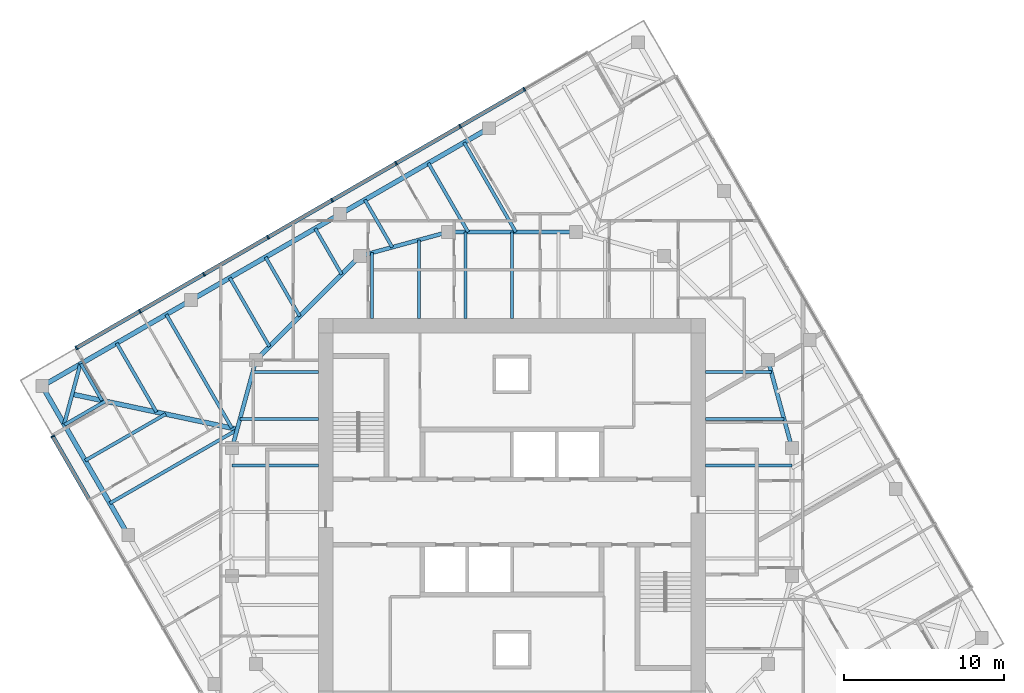
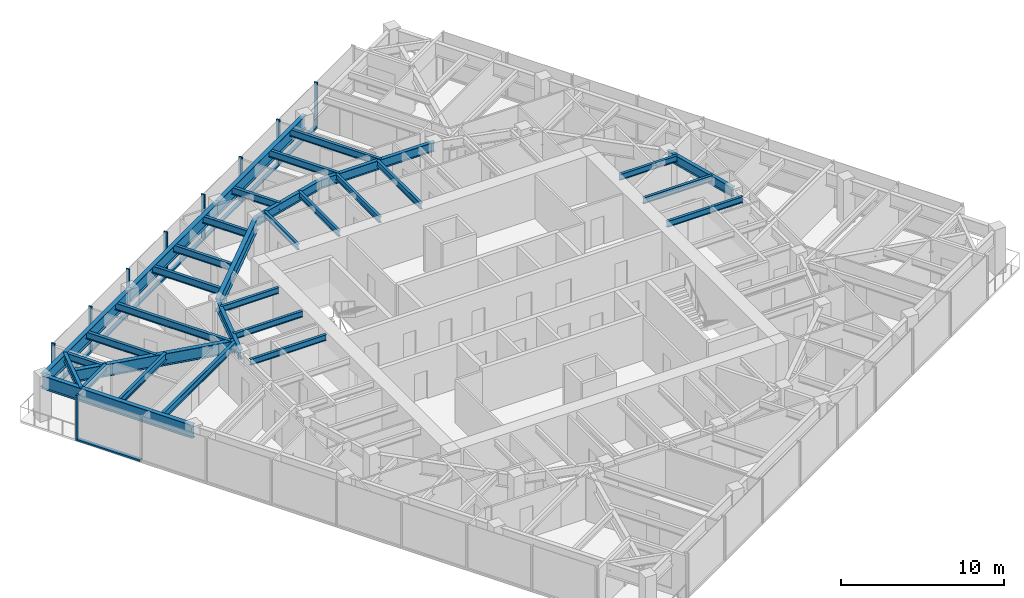
# One storey, part 4 of 13: 33 beams, 17 members, 2 elements without a shape of their own.
"""IFC4 building model written with IfcOpenShell, lengths in metres."""

from ifc_helpers import new_model, si_unit, direction, frame, origin, origin_2d, place, context, subcontext, project, spatial, rectangle, i_section, extrude, material, material_profile, profile_set, type_object, element, aggregate, save


model = new_model("IFC4")

# Units and contexts
model_context = context("Model", 3, precision=1e-05, world=origin(), true_north=direction((0.0, 1.0)))
body_context = subcontext(model_context, "Body", "Model", "MODEL_VIEW")
ifc_project = project(units=[si_unit("LENGTHUNIT", "METRE"), si_unit("AREAUNIT", "SQUARE_METRE"), si_unit("VOLUMEUNIT", "CUBIC_METRE"), si_unit("PLANEANGLEUNIT", "RADIAN"), si_unit("MASSUNIT", "GRAM", prefix="KILO")], contexts=[model_context])

# Site, building, storey
site_placement = place(None, origin())
site = spatial("IfcSite", under=ifc_project, at=site_placement, CompositionType="ELEMENT")
building_placement = place(site_placement, origin())
building = spatial("IfcBuilding", under=site, at=building_placement, Name="Torsade Residences", CompositionType="ELEMENT")
storey_placement = place(building_placement, frame((0.0, 0.0, 228.60009765625)))
storey = spatial("IfcBuildingStorey", under=building, at=storey_placement, Name="L63", CompositionType="ELEMENT", Elevation=228.60009765625)

# Beams
ifc_material_1 = material(Name="Steel grade 300", Category="steel")
ifc_material_profile_1 = material_profile(ifc_material_1, i_section(OverallWidth=0.300048828125, OverallDepth=0.89990234375, WebThickness=0.011962890625, FlangeThickness=0.02490234375, at=origin_2d()), Name="900WB175")
ifc_profile_set_1 = profile_set([ifc_material_profile_1], Name="Steel grade 300")
beam_type_1 = type_object("IfcBeamType", Name="CORNER GIRDER 900WB175", PredefinedType="BEAM", material=ifc_profile_set_1)
beam_1_placement = place(storey_placement, frame((12.5087890625, 37.3662109375, 2.7998046875), z_axis=(0.978115155685, -0.20806427425, 0.0), x_axis=(0.20806427425, 0.978115155685, 0.0)))
element("IfcBeam", 1, at=beam_1_placement, inside=storey, type_object=beam_type_1, Name="Corner girder 13 L64", PredefinedType="BEAM", context=body_context, shape_type="SweptSolid", body=[
    extrude(i_section(OverallWidth=0.300048828125, OverallDepth=0.89990234375, WebThickness=0.011962890625, FlangeThickness=0.02490234375, at=origin_2d()), origin(), (0.0, 0.0, 1.0), 10.541748046875),
])
ifc_material_2 = material(Name="Steel grade 300", Category="steel")
ifc_material_profile_2 = material_profile(ifc_material_2, i_section(OverallWidth=0.22802734375, OverallDepth=0.60205078125, WebThickness=0.010498046875, FlangeThickness=0.014892578125, FilletRadius=0.013916015625, at=origin_2d()), Name="610UB101")
ifc_profile_set_2 = profile_set([ifc_material_profile_2], Name="Steel grade 300")
beam_type_2 = type_object("IfcBeamType", Name="CORNER TRIMMER 610UB101", PredefinedType="BEAM", material=ifc_profile_set_2)
beam_2_placement = place(storey_placement, frame((12.00537109375, 35.488037109375, 2.948974609375), z_axis=(0.258822897619, 0.965924794002, 0.0), x_axis=(-0.965924794002, 0.258822897619, 0.0)))
element("IfcBeam", 2, at=beam_2_placement, inside=storey, type_object=beam_type_2, Name="Corner trimmer 13 L64", PredefinedType="BEAM", context=body_context, shape_type="SweptSolid", body=[
    extrude(i_section(OverallWidth=0.22802734375, OverallDepth=0.60205078125, WebThickness=0.010498046875, FlangeThickness=0.014892578125, FilletRadius=0.013916015625, at=origin_2d()), origin(), (0.0, 0.0, 1.0), 3.88916015625),
])
ifc_material_3 = material(Name="Steel grade 300", Category="steel")
ifc_material_profile_3 = material_profile(ifc_material_3, i_section(OverallWidth=0.300048828125, OverallDepth=1.0, WebThickness=0.01611328125, FlangeThickness=0.028076171875, at=origin_2d()), Name="1000WB215")
ifc_profile_set_3 = profile_set([ifc_material_profile_3], Name="Steel grade 300")
beam_type_3 = type_object("IfcBeamType", Name="EDGE BEAM 1000WB215", PredefinedType="SPANDREL", material=ifc_profile_set_3)
for number, where, z_axis, x_axis, name in (
    (3, (38.559814453125, 53.99462890625, 2.75), (-0.866026365697, -0.499998333915, 0.0), (0.499998333915, -0.866026365697, 0.0), "Edge beam 10 L64"),
    (4, (29.25, 48.61962890625, 2.75), (-0.866026365697, -0.499998333915, 0.0), (0.499998333915, -0.866026365697, 0.0), "Edge beam 11 L64"),
    (5, (19.940185546875, 43.24462890625, 2.75), (-0.866026365697, -0.499998333915, 0.0), (0.499998333915, -0.866026365697, 0.0), "Edge beam 12 L64"),
    (6, (10.63037109375, 37.86962890625, 2.75), (0.499998333915, -0.866026365697, 0.0), (0.866026365697, 0.499998333915, 0.0), "Edge beam 13 L64"),
):
    element("IfcBeam", number, at=place(storey_placement, frame(where, z_axis=z_axis, x_axis=x_axis)), inside=storey, type_object=beam_type_3, Name=name, PredefinedType="SPANDREL", context=body_context, shape_type="SweptSolid", body=[
        extrude(i_section(OverallWidth=0.300048828125, OverallDepth=1.0, WebThickness=0.01611328125, FlangeThickness=0.028076171875, at=origin_2d()), origin(), (0.0, 0.0, 1.0), 10.75),
    ])

# Curtain wall, members
ifc_material_4 = material(Name="Aluminium and glass", Category="aluminium")
curtain_wall_type = type_object("IfcCurtainWallType", Name="FRITTED GLASS CURTAIN WALL HIGH ZONE", PredefinedType="NOTDEFINED", material=ifc_material_4)
curtain_wall_1_placement = place(storey_placement, origin())
curtain_wall_1 = element("IfcCurtainWall", 7, at=curtain_wall_1_placement, inside=storey, type_object=curtain_wall_type, Name="Curtain wall L63 face 7", PredefinedType="NOTDEFINED")
ifc_material_5 = material(Name="Aluminium mullion", Category="aluminium")
ifc_material_profile_4 = material_profile(ifc_material_5, rectangle(XDim=0.25, YDim=0.10009765625, at=origin_2d()), Name="HIGH ZONE CURTAIN WALL MULLION 250x100")
ifc_profile_set_4 = profile_set([ifc_material_profile_4], Name="Aluminium mullion")
member_type_1 = type_object("IfcMemberType", Name="HIGH ZONE CURTAIN WALL MULLION 250x100", PredefinedType="MULLION", material=ifc_profile_set_4)
member_1_placement = place(storey_placement, frame((40.76611328125, 56.423095703125, 0.0), z_axis=(0.0, 0.0, 1.0), x_axis=(0.499999999305, -0.866025404186, 0.0)))
member_1 = element("IfcMember", 8, at=member_1_placement, type_object=member_type_1, Name="Mullion 2", PredefinedType="MULLION", context=body_context, shape_type="SweptSolid", body=[
    extrude(rectangle(XDim=0.25, YDim=0.10009765625, at=origin_2d()), origin(), (0.0, 0.0, 1.0), 3.39990234375),
])
member_2_placement = place(storey_placement, frame((36.7607421875, 54.110595703125, 0.0), z_axis=(0.0, 0.0, 1.0), x_axis=(0.499999999305, -0.866025404186, 0.0)))
member_2 = element("IfcMember", 9, at=member_2_placement, type_object=member_type_1, Name="Mullion 3", PredefinedType="MULLION", context=body_context, shape_type="SweptSolid", body=[
    extrude(rectangle(XDim=0.25, YDim=0.10009765625, at=origin_2d()), origin(), (0.0, 0.0, 1.0), 3.39990234375),
])
member_3_placement = place(storey_placement, frame((32.75537109375, 51.798095703125, 0.0), z_axis=(0.0, 0.0, 1.0), x_axis=(0.499999999305, -0.866025404186, 0.0)))
member_3 = element("IfcMember", 10, at=member_3_placement, type_object=member_type_1, Name="Mullion 4", PredefinedType="MULLION", context=body_context, shape_type="SweptSolid", body=[
    extrude(rectangle(XDim=0.25, YDim=0.10009765625, at=origin_2d()), origin(), (0.0, 0.0, 1.0), 3.39990234375),
])
member_4_placement = place(storey_placement, frame((28.75, 49.485595703125, 0.0), z_axis=(0.0, 0.0, 1.0), x_axis=(0.499999999305, -0.866025404186, 0.0)))
member_4 = element("IfcMember", 11, at=member_4_placement, type_object=member_type_1, Name="Mullion 5", PredefinedType="MULLION", context=body_context, shape_type="SweptSolid", body=[
    extrude(rectangle(XDim=0.25, YDim=0.10009765625, at=origin_2d()), origin(), (0.0, 0.0, 1.0), 3.39990234375),
])
member_5_placement = place(storey_placement, frame((24.74462890625, 47.173095703125, 0.0), z_axis=(0.0, 0.0, 1.0), x_axis=(0.499999999305, -0.866025404186, 0.0)))
member_5 = element("IfcMember", 12, at=member_5_placement, type_object=member_type_1, Name="Mullion 6", PredefinedType="MULLION", context=body_context, shape_type="SweptSolid", body=[
    extrude(rectangle(XDim=0.25, YDim=0.10009765625, at=origin_2d()), origin(), (0.0, 0.0, 1.0), 3.39990234375),
])
member_6_placement = place(storey_placement, frame((20.7392578125, 44.860595703125, 0.0), z_axis=(0.0, 0.0, 1.0), x_axis=(0.499999999305, -0.866025404186, 0.0)))
member_6 = element("IfcMember", 13, at=member_6_placement, type_object=member_type_1, Name="Mullion 7", PredefinedType="MULLION", context=body_context, shape_type="SweptSolid", body=[
    extrude(rectangle(XDim=0.25, YDim=0.10009765625, at=origin_2d()), origin(), (0.0, 0.0, 1.0), 3.39990234375),
])
member_7_placement = place(storey_placement, frame((16.73388671875, 42.548095703125, 0.0), z_axis=(0.0, 0.0, 1.0), x_axis=(0.499999999305, -0.866025404186, 0.0)))
member_7 = element("IfcMember", 14, at=member_7_placement, type_object=member_type_1, Name="Mullion 8", PredefinedType="MULLION", context=body_context, shape_type="SweptSolid", body=[
    extrude(rectangle(XDim=0.25, YDim=0.10009765625, at=origin_2d()), origin(), (0.0, 0.0, 1.0), 3.39990234375),
])
member_8_placement = place(storey_placement, frame((12.771728515625, 40.260498046875, 0.0), z_axis=(0.0, 0.0, 1.0), x_axis=(0.499999999305, -0.866025404186, 0.0)))
member_8 = element("IfcMember", 15, at=member_8_placement, type_object=member_type_1, Name="Mullion 9", PredefinedType="MULLION", context=body_context, shape_type="SweptSolid", body=[
    extrude(rectangle(XDim=0.25, YDim=0.10009765625, at=origin_2d()), origin(), (0.0, 0.0, 1.0), 3.39990234375),
])

# Curtain wall, member
curtain_wall_2_placement = place(storey_placement, origin())
curtain_wall_2 = element("IfcCurtainWall", 16, at=curtain_wall_2_placement, inside=storey, type_object=curtain_wall_type, Name="Curtain wall L63 face 10", PredefinedType="NOTDEFINED")
member_9_placement = place(storey_placement, frame((11.289306640625, 34.728271484375, 0.0), z_axis=(0.0, 0.0, 1.0), x_axis=(0.866025404186, 0.499999999305, 0.0)))
member_9 = element("IfcMember", 17, at=member_9_placement, type_object=member_type_1, Name="Mullion 1", PredefinedType="MULLION", context=body_context, shape_type="SweptSolid", body=[
    extrude(rectangle(XDim=0.25, YDim=0.10009765625, at=origin_2d()), origin(), (0.0, 0.0, 1.0), 3.39990234375),
])

# Member
ifc_material_6 = material(Name="Aluminium transom", Category="aluminium")
ifc_material_profile_5 = material_profile(ifc_material_6, rectangle(XDim=0.25, YDim=0.1201171875, at=origin_2d()), Name="HIGH ZONE CURTAIN WALL TRANSOM 250x120")
ifc_profile_set_5 = profile_set([ifc_material_profile_5], Name="Aluminium transom")
member_type_2 = type_object("IfcMemberType", Name="HIGH ZONE CURTAIN WALL TRANSOM 250x120", PredefinedType="USERDEFINED", material=ifc_profile_set_5)
member_10_placement = place(storey_placement, frame((40.722900390625, 56.398193359375, 0.059814453125), z_axis=(-0.866016678684, -0.500015112013, 0.0), x_axis=(0.500015112013, -0.866016678684, 0.0)))
member_10 = element("IfcMember", 18, at=member_10_placement, type_object=member_type_2, Name="Transom 2.1", ObjectType="TRANSOM", PredefinedType="USERDEFINED", context=body_context, shape_type="SweptSolid", body=[
    extrude(rectangle(XDim=0.25, YDim=0.1201171875, at=origin_2d()), origin(), (0.0, 0.0, 1.0), 4.525146484375),
])

member_11_placement = place(storey_placement, frame((36.717529296875, 54.085693359375, 0.059814453125), z_axis=(-0.866016678684, -0.500015112013, 0.0), x_axis=(0.500015112013, -0.866016678684, 0.0)))
member_11 = element("IfcMember", 19, at=member_11_placement, type_object=member_type_2, Name="Transom 3.1", ObjectType="TRANSOM", PredefinedType="USERDEFINED", context=body_context, shape_type="SweptSolid", body=[
    extrude(rectangle(XDim=0.25, YDim=0.1201171875, at=origin_2d()), origin(), (0.0, 0.0, 1.0), 4.525146484375),
])

member_12_placement = place(storey_placement, frame((32.712158203125, 51.773193359375, 0.059814453125), z_axis=(-0.866016678684, -0.500015112013, 0.0), x_axis=(0.500015112013, -0.866016678684, 0.0)))
member_12 = element("IfcMember", 20, at=member_12_placement, type_object=member_type_2, Name="Transom 4.1", ObjectType="TRANSOM", PredefinedType="USERDEFINED", context=body_context, shape_type="SweptSolid", body=[
    extrude(rectangle(XDim=0.25, YDim=0.1201171875, at=origin_2d()), origin(), (0.0, 0.0, 1.0), 4.525146484375),
])

member_13_placement = place(storey_placement, frame((28.706787109375, 49.460693359375, 0.059814453125), z_axis=(-0.866016678684, -0.500015112013, 0.0), x_axis=(0.500015112013, -0.866016678684, 0.0)))
member_13 = element("IfcMember", 21, at=member_13_placement, type_object=member_type_2, Name="Transom 5.1", ObjectType="TRANSOM", PredefinedType="USERDEFINED", context=body_context, shape_type="SweptSolid", body=[
    extrude(rectangle(XDim=0.25, YDim=0.1201171875, at=origin_2d()), origin(), (0.0, 0.0, 1.0), 4.525146484375),
])

member_14_placement = place(storey_placement, frame((24.701416015625, 47.148193359375, 0.059814453125), z_axis=(-0.866016678684, -0.500015112013, 0.0), x_axis=(0.500015112013, -0.866016678684, 0.0)))
member_14 = element("IfcMember", 22, at=member_14_placement, type_object=member_type_2, Name="Transom 6.1", ObjectType="TRANSOM", PredefinedType="USERDEFINED", context=body_context, shape_type="SweptSolid", body=[
    extrude(rectangle(XDim=0.25, YDim=0.1201171875, at=origin_2d()), origin(), (0.0, 0.0, 1.0), 4.525146484375),
])

member_15_placement = place(storey_placement, frame((20.696044921875, 44.835693359375, 0.059814453125), z_axis=(-0.866016678684, -0.500015112013, 0.0), x_axis=(0.500015112013, -0.866016678684, 0.0)))
member_15 = element("IfcMember", 23, at=member_15_placement, type_object=member_type_2, Name="Transom 7.1", ObjectType="TRANSOM", PredefinedType="USERDEFINED", context=body_context, shape_type="SweptSolid", body=[
    extrude(rectangle(XDim=0.25, YDim=0.1201171875, at=origin_2d()), origin(), (0.0, 0.0, 1.0), 4.525146484375),
])

member_16_placement = place(storey_placement, frame((16.690673828125, 42.523193359375, 0.059814453125), z_axis=(-0.866022053326, -0.50000580312, 0.0), x_axis=(0.50000580312, -0.866022053326, 0.0)))
member_16 = element("IfcMember", 24, at=member_16_placement, type_object=member_type_2, Name="Transom 8.1", ObjectType="TRANSOM", PredefinedType="USERDEFINED", context=body_context, shape_type="SweptSolid", body=[
    extrude(rectangle(XDim=0.25, YDim=0.1201171875, at=origin_2d()), origin(), (0.0, 0.0, 1.0), 4.47509765625),
])

aggregate(curtain_wall_1, [member_1, member_2, member_3, member_4, member_5, member_6, member_7, member_8, member_10, member_11, member_12, member_13, member_14, member_15, member_16])

member_17_placement = place(storey_placement, frame((11.314453125, 34.684814453125, 0.059814453125), z_axis=(0.50000580312, -0.866022053326, 0.0), x_axis=(0.866022053326, 0.50000580312, 0.0)))
member_17 = element("IfcMember", 25, at=member_17_placement, type_object=member_type_2, Name="Transom 1.1", ObjectType="TRANSOM", PredefinedType="USERDEFINED", context=body_context, shape_type="SweptSolid", body=[
    extrude(rectangle(XDim=0.25, YDim=0.1201171875, at=origin_2d()), origin(), (0.0, 0.0, 1.0), 4.47509765625),
])

aggregate(curtain_wall_2, [member_9, member_17])

# Beams
ifc_material_7 = material(Name="Steel grade 300", Category="steel")
ifc_material_profile_6 = material_profile(ifc_material_7, i_section(OverallWidth=0.18994140625, OverallDepth=0.4541015625, WebThickness=0.008544921875, FlangeThickness=0.0126953125, FilletRadius=0.011474609375, at=origin_2d()), Name="460UB67.1")
ifc_profile_set_6 = profile_set([ifc_material_profile_6], Name="Steel grade 300")
beam_type_4 = type_object("IfcBeamType", Name="INNER FLOOR BEAM 460UB67.1", PredefinedType="JOIST", material=ifc_profile_set_6)
beam_3_placement = place(storey_placement, frame((31.262451171875, 42.10009765625, 3.02294921875), z_axis=(0.0, 1.0, 0.0), x_axis=(-1.0, 0.0, 0.0)))
element("IfcBeam", 26, at=beam_3_placement, inside=storey, type_object=beam_type_4, Name="Inner floor beam IN01 L64", PredefinedType="JOIST", context=body_context, shape_type="SweptSolid", body=[
    extrude(i_section(OverallWidth=0.18994140625, OverallDepth=0.4541015625, WebThickness=0.008544921875, FlangeThickness=0.0126953125, FilletRadius=0.011474609375, at=origin_2d()), origin(), (0.0, 0.0, 1.0), 4.10791015625),
])
beam_4_placement = place(storey_placement, frame((34.175048828125, 42.10009765625, 3.02294921875), z_axis=(0.0, 1.0, 0.0), x_axis=(-1.0, 0.0, 0.0)))
element("IfcBeam", 27, at=beam_4_placement, inside=storey, type_object=beam_type_4, Name="Inner floor beam IN02 L64", PredefinedType="JOIST", context=body_context, shape_type="SweptSolid", body=[
    extrude(i_section(OverallWidth=0.18994140625, OverallDepth=0.4541015625, WebThickness=0.008544921875, FlangeThickness=0.0126953125, FilletRadius=0.011474609375, at=origin_2d()), origin(), (0.0, 0.0, 1.0), 4.902099609375),
])
for number, where, z_axis, x_axis, name in (
    (28, (37.08740234375, 42.10009765625, 3.02294921875), (0.0, 1.0, 0.0), (-1.0, 0.0, 0.0), "Inner floor beam IN03 L64"),
    (29, (40.0, 42.10009765625, 3.02294921875), (0.0, 1.0, 0.0), (-1.0, 0.0, 0.0), "Inner floor beam IN04 L64"),
    (30, (52.10009765625, 32.91259765625, 3.02294921875), (1.0, 0.0, 0.0), (0.0, 1.0, 0.0), "Inner floor beam IE05 L64"),
):
    element("IfcBeam", number, at=place(storey_placement, frame(where, z_axis=z_axis, x_axis=x_axis)), inside=storey, type_object=beam_type_4, Name=name, PredefinedType="JOIST", context=body_context, shape_type="SweptSolid", body=[
        extrude(i_section(OverallWidth=0.18994140625, OverallDepth=0.4541015625, WebThickness=0.008544921875, FlangeThickness=0.0126953125, FilletRadius=0.011474609375, at=origin_2d()), origin(), (0.0, 0.0, 1.0), 5.39990234375),
    ])
beam_5_placement = place(storey_placement, frame((52.10009765625, 35.824951171875, 3.02294921875), z_axis=(1.0, 0.0, 0.0), x_axis=(0.0, 1.0, 0.0)))
element("IfcBeam", 31, at=beam_5_placement, inside=storey, type_object=beam_type_4, Name="Inner floor beam IE06 L64", PredefinedType="JOIST", context=body_context, shape_type="SweptSolid", body=[
    extrude(i_section(OverallWidth=0.18994140625, OverallDepth=0.4541015625, WebThickness=0.008544921875, FlangeThickness=0.0126953125, FilletRadius=0.011474609375, at=origin_2d()), origin(), (0.0, 0.0, 1.0), 4.902099609375),
])
for number, where, z_axis, x_axis, name in (
    (32, (52.10009765625, 38.737548828125, 3.02294921875), (1.0, 0.0, 0.0), (0.0, 1.0, 0.0), "Inner floor beam IE07 L64"),
    (33, (27.89990234375, 38.737548828125, 3.02294921875), (-1.0, 0.0, 0.0), (0.0, -1.0, 0.0), "Inner floor beam IW01 L64"),
):
    element("IfcBeam", number, at=place(storey_placement, frame(where, z_axis=z_axis, x_axis=x_axis)), inside=storey, type_object=beam_type_4, Name=name, PredefinedType="JOIST", context=body_context, shape_type="SweptSolid", body=[
        extrude(i_section(OverallWidth=0.18994140625, OverallDepth=0.4541015625, WebThickness=0.008544921875, FlangeThickness=0.0126953125, FilletRadius=0.011474609375, at=origin_2d()), origin(), (0.0, 0.0, 1.0), 4.10791015625),
    ])
beam_6_placement = place(storey_placement, frame((27.89990234375, 35.824951171875, 3.02294921875), z_axis=(-1.0, 0.0, 0.0), x_axis=(0.0, -1.0, 0.0)))
element("IfcBeam", 34, at=beam_6_placement, inside=storey, type_object=beam_type_4, Name="Inner floor beam IW02 L64", PredefinedType="JOIST", context=body_context, shape_type="SweptSolid", body=[
    extrude(i_section(OverallWidth=0.18994140625, OverallDepth=0.4541015625, WebThickness=0.008544921875, FlangeThickness=0.0126953125, FilletRadius=0.011474609375, at=origin_2d()), origin(), (0.0, 0.0, 1.0), 4.902099609375),
])
beam_7_placement = place(storey_placement, frame((27.89990234375, 32.91259765625, 3.02294921875), z_axis=(-1.0, 0.0, 0.0), x_axis=(0.0, -1.0, 0.0)))
element("IfcBeam", 35, at=beam_7_placement, inside=storey, type_object=beam_type_4, Name="Inner floor beam IW03 L64", PredefinedType="JOIST", context=body_context, shape_type="SweptSolid", body=[
    extrude(i_section(OverallWidth=0.18994140625, OverallDepth=0.4541015625, WebThickness=0.008544921875, FlangeThickness=0.0126953125, FilletRadius=0.011474609375, at=origin_2d()), origin(), (0.0, 0.0, 1.0), 5.39990234375),
])
ifc_material_8 = material(Name="Steel grade 300", Category="steel")
ifc_material_profile_7 = material_profile(ifc_material_8, i_section(OverallWidth=0.300048828125, OverallDepth=1.0, WebThickness=0.01611328125, FlangeThickness=0.028076171875, at=origin_2d()), Name="1000WB215")
ifc_profile_set_7 = profile_set([ifc_material_profile_7], Name="Steel grade 300")
beam_type_5 = type_object("IfcBeamType", Name="RING CORNER GIRDER 1000WB215", PredefinedType="BEAM", material=ifc_profile_set_7)
beam_8_placement = place(storey_placement, frame((30.5, 46.0, 2.75), z_axis=(-0.707106781187, -0.707106781187, 0.0), x_axis=(0.707106781187, -0.707106781187, 0.0)))
element("IfcBeam", 36, at=beam_8_placement, inside=storey, type_object=beam_type_5, Name="Ring girder IR07 L64", PredefinedType="BEAM", context=body_context, shape_type="SweptSolid", body=[
    extrude(i_section(OverallWidth=0.300048828125, OverallDepth=1.0, WebThickness=0.01611328125, FlangeThickness=0.028076171875, at=origin_2d()), origin(), (0.0, 0.0, 1.0), 9.1923828125),
])
ifc_material_9 = material(Name="Steel grade 300", Category="steel")
ifc_material_profile_8 = material_profile(ifc_material_9, i_section(OverallWidth=0.25, OverallDepth=0.699951171875, WebThickness=0.010009765625, FlangeThickness=0.02001953125, at=origin_2d()), Name="700WB130")
ifc_profile_set_8 = profile_set([ifc_material_profile_8], Name="Steel grade 300")
beam_type_6 = type_object("IfcBeamType", Name="RING GIRDER 700WB130", PredefinedType="BEAM", material=ifc_profile_set_8)
beam_9_placement = place(storey_placement, frame((57.5, 34.0, 2.89990234375), z_axis=(-0.263117405792, 0.964763821238, 0.0), x_axis=(-0.964763821238, -0.263117405792, 0.0)))
element("IfcBeam", 37, at=beam_9_placement, inside=storey, type_object=beam_type_6, Name="Ring girder IR02 L64", PredefinedType="BEAM", context=body_context, shape_type="SweptSolid", body=[
    extrude(i_section(OverallWidth=0.25, OverallDepth=0.699951171875, WebThickness=0.010009765625, FlangeThickness=0.02001953125, at=origin_2d()), origin(), (0.0, 0.0, 1.0), 5.700927734375),
])
beam_10_placement = place(storey_placement, frame((44.0, 47.5, 2.89990234375), z_axis=(-1.0, 0.0, 0.0), x_axis=(0.0, -1.0, 0.0)))
element("IfcBeam", 38, at=beam_10_placement, inside=storey, type_object=beam_type_6, Name="Ring girder IR05 L64", PredefinedType="BEAM", context=body_context, shape_type="SweptSolid", body=[
    extrude(i_section(OverallWidth=0.25, OverallDepth=0.699951171875, WebThickness=0.010009765625, FlangeThickness=0.02001953125, at=origin_2d()), origin(), (0.0, 0.0, 1.0), 8.0),
])
for number, where, z_axis, x_axis, name in (
    (39, (36.0, 47.5, 2.89990234375), (-0.964763821238, -0.263117405792, 0.0), (0.263117405792, -0.964763821238, 0.0), "Ring girder IR06 L64"),
    (40, (24.0, 39.5, 2.89990234375), (-0.263117405792, -0.964763821238, 0.0), (0.964763821238, -0.263117405792, 0.0), "Ring girder IR08 L64"),
):
    element("IfcBeam", number, at=place(storey_placement, frame(where, z_axis=z_axis, x_axis=x_axis)), inside=storey, type_object=beam_type_6, Name=name, PredefinedType="BEAM", context=body_context, shape_type="SweptSolid", body=[
        extrude(i_section(OverallWidth=0.25, OverallDepth=0.699951171875, WebThickness=0.010009765625, FlangeThickness=0.02001953125, at=origin_2d()), origin(), (0.0, 0.0, 1.0), 5.700927734375),
    ])
ifc_material_10 = material(Name="Steel grade 300", Category="steel")
ifc_material_profile_9 = material_profile(ifc_material_10, i_section(OverallWidth=0.208984375, OverallDepth=0.528076171875, WebThickness=0.009521484375, FlangeThickness=0.01318359375, FilletRadius=0.013916015625, at=origin_2d()), Name="530UB82.0")
ifc_profile_set_9 = profile_set([ifc_material_profile_9], Name="Steel grade 300")
beam_type_7 = type_object("IfcBeamType", Name="SECONDARY BEAM 530UB82.0", PredefinedType="JOIST", material=ifc_profile_set_9)
beam_11_placement = place(storey_placement, frame((37.008056640625, 53.0986328125, 2.98583984375), z_axis=(0.500005767435, -0.866022073929, 0.0), x_axis=(0.866022073929, 0.500005767435, 0.0)))
element("IfcBeam", 41, at=beam_11_placement, inside=storey, type_object=beam_type_7, Name="Floor beam FN04 L64", PredefinedType="JOIST", context=body_context, shape_type="SweptSolid", body=[
    extrude(i_section(OverallWidth=0.208984375, OverallDepth=0.528076171875, WebThickness=0.009521484375, FlangeThickness=0.01318359375, FilletRadius=0.013916015625, at=origin_2d()), origin(), (0.0, 0.0, 1.0), 6.46484375),
])
beam_12_placement = place(storey_placement, frame((34.77099609375, 51.80712890625, 2.98583984375), z_axis=(0.499977414361, -0.866038443216, 0.0), x_axis=(0.866038443216, 0.499977414361, 0.0)))
element("IfcBeam", 42, at=beam_12_placement, inside=storey, type_object=beam_type_7, Name="Floor beam FN05 L64", PredefinedType="JOIST", context=body_context, shape_type="SweptSolid", body=[
    extrude(i_section(OverallWidth=0.208984375, OverallDepth=0.528076171875, WebThickness=0.009521484375, FlangeThickness=0.01318359375, FilletRadius=0.013916015625, at=origin_2d()), origin(), (0.0, 0.0, 1.0), 4.973388671875),
])
beam_13_placement = place(storey_placement, frame((30.801513671875, 49.515380859375, 2.98583984375), z_axis=(0.500041249073, -0.866001587311, 0.0), x_axis=(0.866001587311, 0.500041249073, 0.0)))
element("IfcBeam", 43, at=beam_13_placement, inside=storey, type_object=beam_type_7, Name="Floor beam FN06 L64", PredefinedType="JOIST", context=body_context, shape_type="SweptSolid", body=[
    extrude(i_section(OverallWidth=0.208984375, OverallDepth=0.528076171875, WebThickness=0.009521484375, FlangeThickness=0.01318359375, FilletRadius=0.013916015625, at=origin_2d()), origin(), (0.0, 0.0, 1.0), 3.425048828125),
])
beam_14_placement = place(storey_placement, frame((27.698486328125, 47.7236328125, 2.98583984375), z_axis=(0.499975512502, -0.866039541186, 0.0), x_axis=(0.866039541186, 0.499975512502, 0.0)))
element("IfcBeam", 44, at=beam_14_placement, inside=storey, type_object=beam_type_7, Name="Floor beam FN07 L64", PredefinedType="JOIST", context=body_context, shape_type="SweptSolid", body=[
    extrude(i_section(OverallWidth=0.208984375, OverallDepth=0.528076171875, WebThickness=0.009521484375, FlangeThickness=0.01318359375, FilletRadius=0.013916015625, at=origin_2d()), origin(), (0.0, 0.0, 1.0), 3.312744140625),
])
beam_15_placement = place(storey_placement, frame((24.59521484375, 45.93212890625, 2.98583984375), z_axis=(0.500004369671, -0.866022880939, 0.0), x_axis=(0.866022880939, 0.500004369671, 0.0)))
element("IfcBeam", 45, at=beam_15_placement, inside=storey, type_object=beam_type_7, Name="Floor beam FN08 L64", PredefinedType="JOIST", context=body_context, shape_type="SweptSolid", body=[
    extrude(i_section(OverallWidth=0.208984375, OverallDepth=0.528076171875, WebThickness=0.009521484375, FlangeThickness=0.01318359375, FilletRadius=0.013916015625, at=origin_2d()), origin(), (0.0, 0.0, 1.0), 4.27294921875),
])
beam_16_placement = place(storey_placement, frame((22.35791015625, 44.640380859375, 2.98583984375), z_axis=(0.49996790502, -0.866043933037, 0.0), x_axis=(0.866043933037, 0.49996790502, 0.0)))
element("IfcBeam", 46, at=beam_16_placement, inside=storey, type_object=beam_type_7, Name="Floor beam FN09 L64", PredefinedType="JOIST", context=body_context, shape_type="SweptSolid", body=[
    extrude(i_section(OverallWidth=0.208984375, OverallDepth=0.528076171875, WebThickness=0.009521484375, FlangeThickness=0.01318359375, FilletRadius=0.013916015625, at=origin_2d()), origin(), (0.0, 0.0, 1.0), 4.965087890625),
])
beam_17_placement = place(storey_placement, frame((18.388671875, 42.3486328125, 2.98583984375), z_axis=(0.499992034702, -0.866030002502, 0.0), x_axis=(0.866030002502, 0.499992034702, 0.0)))
element("IfcBeam", 47, at=beam_17_placement, inside=storey, type_object=beam_type_7, Name="Floor beam FN10 L64", PredefinedType="JOIST", context=body_context, shape_type="SweptSolid", body=[
    extrude(i_section(OverallWidth=0.208984375, OverallDepth=0.528076171875, WebThickness=0.009521484375, FlangeThickness=0.01318359375, FilletRadius=0.013916015625, at=origin_2d()), origin(), (0.0, 0.0, 1.0), 8.205322265625),
])
beam_18_placement = place(storey_placement, frame((15.285400390625, 40.55712890625, 2.98583984375), z_axis=(0.499968694491, -0.866043477274, 0.0), x_axis=(0.866043477274, 0.499968694491, 0.0)))
element("IfcBeam", 48, at=beam_18_placement, inside=storey, type_object=beam_type_7, Name="Floor beam FN11 L64", PredefinedType="JOIST", context=body_context, shape_type="SweptSolid", body=[
    extrude(i_section(OverallWidth=0.208984375, OverallDepth=0.528076171875, WebThickness=0.009521484375, FlangeThickness=0.01318359375, FilletRadius=0.013916015625, at=origin_2d()), origin(), (0.0, 0.0, 1.0), 4.977783203125),
])
beam_19_placement = place(storey_placement, frame((13.048095703125, 39.265380859375, 2.98583984375), z_axis=(0.499972238474, -0.866041431316, 0.0), x_axis=(0.866041431316, 0.499972238474, 0.0)))
element("IfcBeam", 49, at=beam_19_placement, inside=storey, type_object=beam_type_7, Name="Floor beam FN12 L64", PredefinedType="JOIST", context=body_context, shape_type="SweptSolid", body=[
    extrude(i_section(OverallWidth=0.208984375, OverallDepth=0.528076171875, WebThickness=0.009521484375, FlangeThickness=0.01318359375, FilletRadius=0.013916015625, at=origin_2d()), origin(), (0.0, 0.0, 1.0), 2.651123046875),
])
beam_20_placement = place(storey_placement, frame((12.0263671875, 35.451904296875, 2.98583984375), z_axis=(0.866017313224, 0.500014013, 0.0), x_axis=(-0.500014013, 0.866017313224, 0.0)))
element("IfcBeam", 50, at=beam_20_placement, inside=storey, type_object=beam_type_7, Name="Floor beam FW01 L64", PredefinedType="JOIST", context=body_context, shape_type="SweptSolid", body=[
    extrude(i_section(OverallWidth=0.208984375, OverallDepth=0.528076171875, WebThickness=0.009521484375, FlangeThickness=0.01318359375, FilletRadius=0.013916015625, at=origin_2d()), origin(), (0.0, 0.0, 1.0), 2.94775390625),
])
beam_21_placement = place(storey_placement, frame((13.31787109375, 33.214599609375, 2.98583984375), z_axis=(0.866031100357, 0.499990133118, 0.0), x_axis=(-0.499990133118, 0.866031100357, 0.0)))
element("IfcBeam", 51, at=beam_21_placement, inside=storey, type_object=beam_type_7, Name="Floor beam FW02 L64", PredefinedType="JOIST", context=body_context, shape_type="SweptSolid", body=[
    extrude(i_section(OverallWidth=0.208984375, OverallDepth=0.528076171875, WebThickness=0.009521484375, FlangeThickness=0.01318359375, FilletRadius=0.013916015625, at=origin_2d()), origin(), (0.0, 0.0, 1.0), 5.81591796875),
])
beam_22_placement = place(storey_placement, frame((14.859619140625, 30.54443359375, 2.98583984375), z_axis=(0.866021712342, 0.500006393711, 0.0), x_axis=(-0.500006393711, 0.866021712342, 0.0)))
element("IfcBeam", 52, at=beam_22_placement, inside=storey, type_object=beam_type_7, Name="Floor beam FW03 L64", PredefinedType="JOIST", context=body_context, shape_type="SweptSolid", body=[
    extrude(i_section(OverallWidth=0.208984375, OverallDepth=0.528076171875, WebThickness=0.009521484375, FlangeThickness=0.01318359375, FilletRadius=0.013916015625, at=origin_2d()), origin(), (0.0, 0.0, 1.0), 9.1796875),
])

save(model, "model.ifc")
